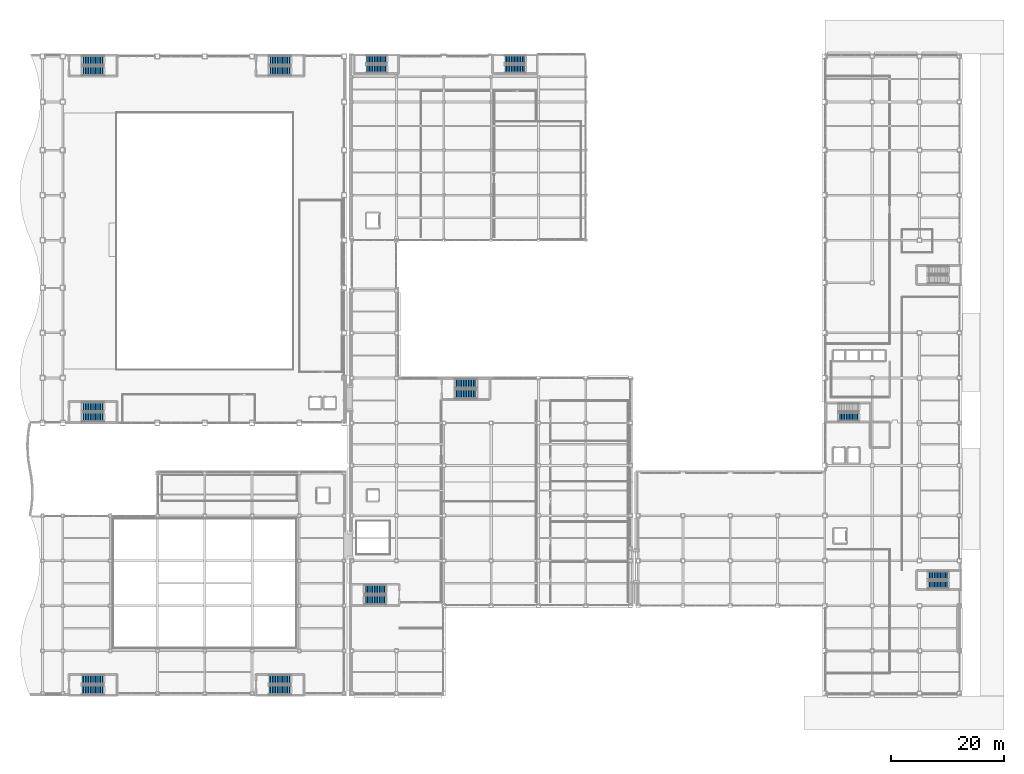
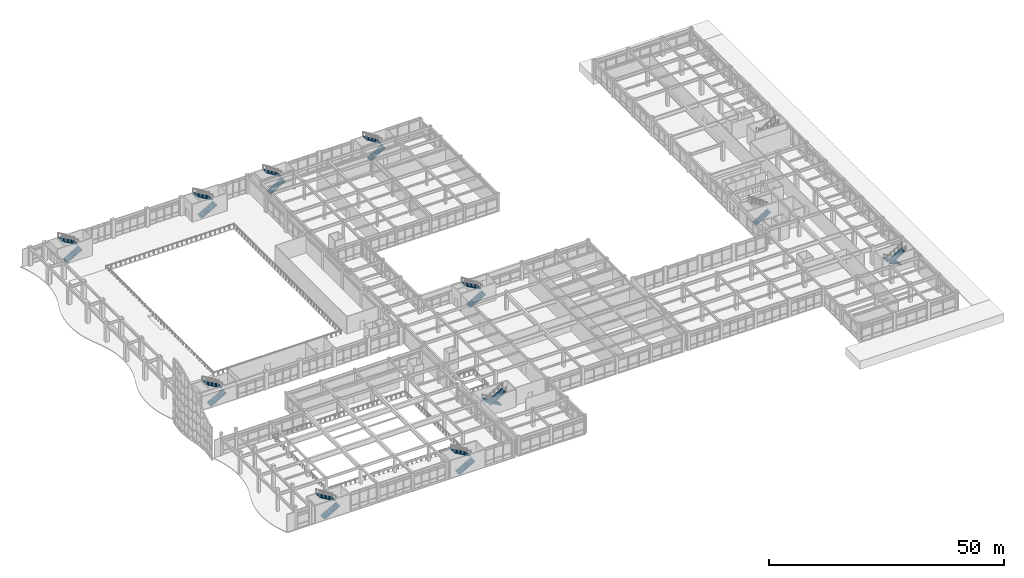
# One storey, part 149 of 172: 21 stair flights, 11 elements without a shape of their own.
"""IFC4 building model written with IfcOpenShell, lengths in metres."""

from ifc_helpers import new_model, si_unit, direction, frame, origin, place, context, subcontext, project, spatial, polyline, outline, extrude, material, type_object, element, aggregate, save


model = new_model("IFC4")

# Units and contexts
model_context = context("Model", 3, precision=1e-05, world=origin(), true_north=direction((0.0, 1.0)))
body_context = subcontext(model_context, "Body", "Model", "MODEL_VIEW")
ifc_project = project(units=[si_unit("LENGTHUNIT", "METRE"), si_unit("AREAUNIT", "SQUARE_METRE"), si_unit("VOLUMEUNIT", "CUBIC_METRE"), si_unit("PLANEANGLEUNIT", "RADIAN"), si_unit("MASSUNIT", "GRAM", prefix="KILO")], contexts=[model_context])

# Site, building, storey
site_placement = place(None, origin())
site = spatial("IfcSite", under=ifc_project, at=site_placement, CompositionType="ELEMENT")
building_placement = place(site_placement, origin())
building = spatial("IfcBuilding", under=site, at=building_placement, Name="Kazehara Bluff Congress Hotel", CompositionType="ELEMENT")
storey_placement = place(building_placement, frame((0.0, 0.0, 5.39990234375)))
storey = spatial("IfcBuildingStorey", under=building, at=storey_placement, Name="L01", CompositionType="ELEMENT", Elevation=5.39990234375)

# Stair, stair flights
ifc_material_1 = material(Name="Concrete C36/45", Category="concrete")
stair_type_1 = type_object("IfcStairType", Name="TP-ST-T02", PredefinedType="HALF_TURN_STAIR", material=ifc_material_1)
stair_1_placement = place(storey_placement, origin())
stair_1 = element("IfcStair", 1, at=stair_1_placement, inside=storey, type_object=stair_type_1, Name="L01 Escape stair ST-01", PredefinedType="HALF_TURN_STAIR")
ifc_material_2 = material(Name="Concrete C36/45", Category="concrete")
stair_flight_type_1 = type_object("IfcStairFlightType", Name="TP-SF-T02", PredefinedType="STRAIGHT", material=ifc_material_2)
stair_flight_1_placement = place(storey_placement, frame((11.800048828125, 110.97509765625, 0.0), z_axis=(0.0, 0.0, 1.0), x_axis=(1.0, 0.0, 0.0)))
stair_flight_1 = element("IfcStairFlight", 2, at=stair_flight_1_placement, type_object=stair_flight_type_1, Name="ST-01 flight 1", NumberOfRisers=14, NumberOfTreads=13, PredefinedType="STRAIGHT", RiserHeight=0.171428571, TreadLength=0.3, context=body_context, shape_type="SweptSolid", body=[
    extrude(outline(polyline([(0.0, 0.0), (0.0, 0.17138671875), (0.300048828125, 0.17138671875), (0.300048828125, 0.3427734375), (0.60009765625, 0.3427734375), (0.60009765625, 0.514404296875), (0.89990234375, 0.514404296875), (0.89990234375, 0.685791015625), (1.199951171875, 0.685791015625), (1.199951171875, 0.857177734375), (1.5, 0.857177734375), (1.5, 1.028564453125), (1.800048828125, 1.028564453125), (1.800048828125, 1.199951171875), (2.10009765625, 1.199951171875), (2.10009765625, 1.371337890625), (2.39990234375, 1.371337890625), (2.39990234375, 1.54296875), (2.699951171875, 1.54296875), (2.699951171875, 1.71435546875), (3.0, 1.71435546875), (3.0, 1.8857421875), (3.300048828125, 1.8857421875), (3.300048828125, 2.05712890625), (3.60009765625, 2.05712890625), (3.60009765625, 2.228515625), (3.89990234375, 2.228515625), (3.89990234375, 2.39990234375), (3.89990234375, 2.04443359375), (0.322265625, 0.0), (0.0, 0.0)])), frame((0.0, 0.824951171875, 0.0), z_axis=(0.0, -1.0, 0.0), x_axis=(1.0, 0.0, 0.0)), (0.0, 0.0, 1.0), 1.64990234375),
])
stair_flight_2_placement = place(storey_placement, frame((15.699951171875, 112.824951171875, 2.400146484375), z_axis=(0.0, 0.0, 1.0), x_axis=(-1.0, 0.0, 0.0)))
stair_flight_2 = element("IfcStairFlight", 3, at=stair_flight_2_placement, type_object=stair_flight_type_1, Name="ST-01 flight 2", NumberOfRisers=14, NumberOfTreads=13, PredefinedType="STRAIGHT", RiserHeight=0.171428571, TreadLength=0.3, context=body_context, shape_type="SweptSolid", body=[
    extrude(outline(polyline([(0.0, 0.0), (0.0, 0.17138671875), (0.300048828125, 0.17138671875), (0.300048828125, 0.3427734375), (0.60009765625, 0.3427734375), (0.60009765625, 0.514404296875), (0.89990234375, 0.514404296875), (0.89990234375, 0.685791015625), (1.199951171875, 0.685791015625), (1.199951171875, 0.857177734375), (1.5, 0.857177734375), (1.5, 1.028564453125), (1.800048828125, 1.028564453125), (1.800048828125, 1.199951171875), (2.10009765625, 1.199951171875), (2.10009765625, 1.371337890625), (2.39990234375, 1.371337890625), (2.39990234375, 1.54296875), (2.699951171875, 1.54296875), (2.699951171875, 1.71435546875), (3.0, 1.71435546875), (3.0, 1.8857421875), (3.300048828125, 1.8857421875), (3.300048828125, 2.05712890625), (3.60009765625, 2.05712890625), (3.60009765625, 2.228515625), (3.89990234375, 2.228515625), (3.89990234375, 2.39990234375), (3.89990234375, 2.04443359375), (0.322265625, 0.0), (0.0, 0.0)])), frame((0.0, 0.824951171875, 0.0), z_axis=(0.0, -1.0, 0.0), x_axis=(1.0, 0.0, 0.0)), (0.0, 0.0, 1.0), 1.64990234375),
])
aggregate(stair_1, [stair_flight_1, stair_flight_2])

stair_2_placement = place(storey_placement, origin())
stair_2 = element("IfcStair", 4, at=stair_2_placement, inside=storey, type_object=stair_type_1, Name="L01 Escape stair ST-02", PredefinedType="HALF_TURN_STAIR")
stair_flight_3_placement = place(storey_placement, frame((45.0, 110.97509765625, 0.0), z_axis=(0.0, 0.0, 1.0), x_axis=(1.0, 0.0, 0.0)))
stair_flight_3 = element("IfcStairFlight", 5, at=stair_flight_3_placement, type_object=stair_flight_type_1, Name="ST-02 flight 1", NumberOfRisers=14, NumberOfTreads=13, PredefinedType="STRAIGHT", RiserHeight=0.171428571, TreadLength=0.3, context=body_context, shape_type="SweptSolid", body=[
    extrude(outline(polyline([(0.0, 0.0), (0.0, 0.17138671875), (0.300048828125, 0.17138671875), (0.300048828125, 0.3427734375), (0.60009765625, 0.3427734375), (0.60009765625, 0.514404296875), (0.89990234375, 0.514404296875), (0.89990234375, 0.685791015625), (1.199951171875, 0.685791015625), (1.199951171875, 0.857177734375), (1.5, 0.857177734375), (1.5, 1.028564453125), (1.800048828125, 1.028564453125), (1.800048828125, 1.199951171875), (2.10009765625, 1.199951171875), (2.10009765625, 1.371337890625), (2.39990234375, 1.371337890625), (2.39990234375, 1.54296875), (2.699951171875, 1.54296875), (2.699951171875, 1.71435546875), (3.0, 1.71435546875), (3.0, 1.8857421875), (3.300048828125, 1.8857421875), (3.300048828125, 2.05712890625), (3.60009765625, 2.05712890625), (3.60009765625, 2.228515625), (3.89990234375, 2.228515625), (3.89990234375, 2.39990234375), (3.89990234375, 2.04443359375), (0.322265625, 0.0), (0.0, 0.0)])), frame((0.0, 0.824951171875, 0.0), z_axis=(0.0, -1.0, 0.0), x_axis=(1.0, 0.0, 0.0)), (0.0, 0.0, 1.0), 1.64990234375),
])
stair_flight_4_placement = place(storey_placement, frame((48.89990234375, 112.824951171875, 2.400146484375), z_axis=(0.0, 0.0, 1.0), x_axis=(-1.0, 0.0, 0.0)))
stair_flight_4 = element("IfcStairFlight", 6, at=stair_flight_4_placement, type_object=stair_flight_type_1, Name="ST-02 flight 2", NumberOfRisers=14, NumberOfTreads=13, PredefinedType="STRAIGHT", RiserHeight=0.171428571, TreadLength=0.3, context=body_context, shape_type="SweptSolid", body=[
    extrude(outline(polyline([(0.0, 0.0), (0.0, 0.17138671875), (0.300048828125, 0.17138671875), (0.300048828125, 0.3427734375), (0.60009765625, 0.3427734375), (0.60009765625, 0.514404296875), (0.89990234375, 0.514404296875), (0.89990234375, 0.685791015625), (1.199951171875, 0.685791015625), (1.199951171875, 0.857177734375), (1.5, 0.857177734375), (1.5, 1.028564453125), (1.800048828125, 1.028564453125), (1.800048828125, 1.199951171875), (2.10009765625, 1.199951171875), (2.10009765625, 1.371337890625), (2.39990234375, 1.371337890625), (2.39990234375, 1.54296875), (2.699951171875, 1.54296875), (2.699951171875, 1.71435546875), (3.0, 1.71435546875), (3.0, 1.8857421875), (3.300048828125, 1.8857421875), (3.300048828125, 2.05712890625), (3.60009765625, 2.05712890625), (3.60009765625, 2.228515625), (3.89990234375, 2.228515625), (3.89990234375, 2.39990234375), (3.89990234375, 2.04443359375), (0.322265625, 0.0), (0.0, 0.0)])), frame((0.0, 0.824951171875, 0.0), z_axis=(0.0, -1.0, 0.0), x_axis=(1.0, 0.0, 0.0)), (0.0, 0.0, 1.0), 1.64990234375),
])
aggregate(stair_2, [stair_flight_3, stair_flight_4])

stair_3_placement = place(storey_placement, origin())
stair_3 = element("IfcStair", 7, at=stair_3_placement, inside=storey, type_object=stair_type_1, Name="L01 Escape stair ST-03", PredefinedType="HALF_TURN_STAIR")
stair_flight_5_placement = place(storey_placement, frame((11.800048828125, 49.47509765625, 0.0), z_axis=(0.0, 0.0, 1.0), x_axis=(1.0, 0.0, 0.0)))
stair_flight_5 = element("IfcStairFlight", 8, at=stair_flight_5_placement, type_object=stair_flight_type_1, Name="ST-03 flight 1", NumberOfRisers=14, NumberOfTreads=13, PredefinedType="STRAIGHT", RiserHeight=0.171428571, TreadLength=0.3, context=body_context, shape_type="SweptSolid", body=[
    extrude(outline(polyline([(0.0, 0.0), (0.0, 0.17138671875), (0.300048828125, 0.17138671875), (0.300048828125, 0.3427734375), (0.60009765625, 0.3427734375), (0.60009765625, 0.514404296875), (0.89990234375, 0.514404296875), (0.89990234375, 0.685791015625), (1.199951171875, 0.685791015625), (1.199951171875, 0.857177734375), (1.5, 0.857177734375), (1.5, 1.028564453125), (1.800048828125, 1.028564453125), (1.800048828125, 1.199951171875), (2.10009765625, 1.199951171875), (2.10009765625, 1.371337890625), (2.39990234375, 1.371337890625), (2.39990234375, 1.54296875), (2.699951171875, 1.54296875), (2.699951171875, 1.71435546875), (3.0, 1.71435546875), (3.0, 1.8857421875), (3.300048828125, 1.8857421875), (3.300048828125, 2.05712890625), (3.60009765625, 2.05712890625), (3.60009765625, 2.228515625), (3.89990234375, 2.228515625), (3.89990234375, 2.39990234375), (3.89990234375, 2.04443359375), (0.322265625, 0.0), (0.0, 0.0)])), frame((0.0, 0.824951171875, 0.0), z_axis=(0.0, -1.0, 0.0), x_axis=(1.0, 0.0, 0.0)), (0.0, 0.0, 1.0), 1.64990234375),
])
stair_flight_6_placement = place(storey_placement, frame((15.699951171875, 51.324951171875, 2.400146484375), z_axis=(0.0, 0.0, 1.0), x_axis=(-1.0, 0.0, 0.0)))
stair_flight_6 = element("IfcStairFlight", 9, at=stair_flight_6_placement, type_object=stair_flight_type_1, Name="ST-03 flight 2", NumberOfRisers=14, NumberOfTreads=13, PredefinedType="STRAIGHT", RiserHeight=0.171428571, TreadLength=0.3, context=body_context, shape_type="SweptSolid", body=[
    extrude(outline(polyline([(0.0, 0.0), (0.0, 0.17138671875), (0.300048828125, 0.17138671875), (0.300048828125, 0.3427734375), (0.60009765625, 0.3427734375), (0.60009765625, 0.514404296875), (0.89990234375, 0.514404296875), (0.89990234375, 0.685791015625), (1.199951171875, 0.685791015625), (1.199951171875, 0.857177734375), (1.5, 0.857177734375), (1.5, 1.028564453125), (1.800048828125, 1.028564453125), (1.800048828125, 1.199951171875), (2.10009765625, 1.199951171875), (2.10009765625, 1.371337890625), (2.39990234375, 1.371337890625), (2.39990234375, 1.54296875), (2.699951171875, 1.54296875), (2.699951171875, 1.71435546875), (3.0, 1.71435546875), (3.0, 1.8857421875), (3.300048828125, 1.8857421875), (3.300048828125, 2.05712890625), (3.60009765625, 2.05712890625), (3.60009765625, 2.228515625), (3.89990234375, 2.228515625), (3.89990234375, 2.39990234375), (3.89990234375, 2.04443359375), (0.322265625, 0.0), (0.0, 0.0)])), frame((0.0, 0.824951171875, 0.0), z_axis=(0.0, -1.0, 0.0), x_axis=(1.0, 0.0, 0.0)), (0.0, 0.0, 1.0), 1.64990234375),
])
aggregate(stair_3, [stair_flight_5, stair_flight_6])

stair_4_placement = place(storey_placement, origin())
stair_4 = element("IfcStair", 10, at=stair_4_placement, inside=storey, type_object=stair_type_1, Name="L01 Escape stair ST-04", PredefinedType="HALF_TURN_STAIR")
stair_flight_7_placement = place(storey_placement, frame((11.800048828125, 1.02490234375, 0.0), z_axis=(0.0, 0.0, 1.0), x_axis=(1.0, 0.0, 0.0)))
stair_flight_7 = element("IfcStairFlight", 11, at=stair_flight_7_placement, type_object=stair_flight_type_1, Name="ST-04 flight 1", NumberOfRisers=14, NumberOfTreads=13, PredefinedType="STRAIGHT", RiserHeight=0.171428571, TreadLength=0.3, context=body_context, shape_type="SweptSolid", body=[
    extrude(outline(polyline([(0.0, 0.0), (0.0, 0.17138671875), (0.300048828125, 0.17138671875), (0.300048828125, 0.3427734375), (0.60009765625, 0.3427734375), (0.60009765625, 0.514404296875), (0.89990234375, 0.514404296875), (0.89990234375, 0.685791015625), (1.199951171875, 0.685791015625), (1.199951171875, 0.857177734375), (1.5, 0.857177734375), (1.5, 1.028564453125), (1.800048828125, 1.028564453125), (1.800048828125, 1.199951171875), (2.10009765625, 1.199951171875), (2.10009765625, 1.371337890625), (2.39990234375, 1.371337890625), (2.39990234375, 1.54296875), (2.699951171875, 1.54296875), (2.699951171875, 1.71435546875), (3.0, 1.71435546875), (3.0, 1.8857421875), (3.300048828125, 1.8857421875), (3.300048828125, 2.05712890625), (3.60009765625, 2.05712890625), (3.60009765625, 2.228515625), (3.89990234375, 2.228515625), (3.89990234375, 2.39990234375), (3.89990234375, 2.04443359375), (0.322265625, 0.0), (0.0, 0.0)])), frame((0.0, 0.824951171875, 0.0), z_axis=(0.0, -1.0, 0.0), x_axis=(1.0, 0.0, 0.0)), (0.0, 0.0, 1.0), 1.64990234375),
])
stair_flight_8_placement = place(storey_placement, frame((15.699951171875, 2.875, 2.400146484375), z_axis=(0.0, 0.0, 1.0), x_axis=(-1.0, 0.0, 0.0)))
stair_flight_8 = element("IfcStairFlight", 12, at=stair_flight_8_placement, type_object=stair_flight_type_1, Name="ST-04 flight 2", NumberOfRisers=14, NumberOfTreads=13, PredefinedType="STRAIGHT", RiserHeight=0.171428571, TreadLength=0.3, context=body_context, shape_type="SweptSolid", body=[
    extrude(outline(polyline([(0.0, 0.0), (0.0, 0.17138671875), (0.300048828125, 0.17138671875), (0.300048828125, 0.3427734375), (0.60009765625, 0.3427734375), (0.60009765625, 0.514404296875), (0.89990234375, 0.514404296875), (0.89990234375, 0.685791015625), (1.199951171875, 0.685791015625), (1.199951171875, 0.857177734375), (1.5, 0.857177734375), (1.5, 1.028564453125), (1.800048828125, 1.028564453125), (1.800048828125, 1.199951171875), (2.10009765625, 1.199951171875), (2.10009765625, 1.371337890625), (2.39990234375, 1.371337890625), (2.39990234375, 1.54296875), (2.699951171875, 1.54296875), (2.699951171875, 1.71435546875), (3.0, 1.71435546875), (3.0, 1.8857421875), (3.300048828125, 1.8857421875), (3.300048828125, 2.05712890625), (3.60009765625, 2.05712890625), (3.60009765625, 2.228515625), (3.89990234375, 2.228515625), (3.89990234375, 2.39990234375), (3.89990234375, 2.04443359375), (0.322265625, 0.0), (0.0, 0.0)])), frame((0.0, 0.824951171875, 0.0), z_axis=(0.0, -1.0, 0.0), x_axis=(1.0, 0.0, 0.0)), (0.0, 0.0, 1.0), 1.64990234375),
])
aggregate(stair_4, [stair_flight_7, stair_flight_8])

stair_5_placement = place(storey_placement, origin())
stair_5 = element("IfcStair", 13, at=stair_5_placement, inside=storey, type_object=stair_type_1, Name="L01 Escape stair ST-05", PredefinedType="HALF_TURN_STAIR")
stair_flight_9_placement = place(storey_placement, frame((45.0, 1.02490234375, 0.0), z_axis=(0.0, 0.0, 1.0), x_axis=(1.0, 0.0, 0.0)))
stair_flight_9 = element("IfcStairFlight", 14, at=stair_flight_9_placement, type_object=stair_flight_type_1, Name="ST-05 flight 1", NumberOfRisers=14, NumberOfTreads=13, PredefinedType="STRAIGHT", RiserHeight=0.171428571, TreadLength=0.3, context=body_context, shape_type="SweptSolid", body=[
    extrude(outline(polyline([(0.0, 0.0), (0.0, 0.17138671875), (0.300048828125, 0.17138671875), (0.300048828125, 0.3427734375), (0.60009765625, 0.3427734375), (0.60009765625, 0.514404296875), (0.89990234375, 0.514404296875), (0.89990234375, 0.685791015625), (1.199951171875, 0.685791015625), (1.199951171875, 0.857177734375), (1.5, 0.857177734375), (1.5, 1.028564453125), (1.800048828125, 1.028564453125), (1.800048828125, 1.199951171875), (2.10009765625, 1.199951171875), (2.10009765625, 1.371337890625), (2.39990234375, 1.371337890625), (2.39990234375, 1.54296875), (2.699951171875, 1.54296875), (2.699951171875, 1.71435546875), (3.0, 1.71435546875), (3.0, 1.8857421875), (3.300048828125, 1.8857421875), (3.300048828125, 2.05712890625), (3.60009765625, 2.05712890625), (3.60009765625, 2.228515625), (3.89990234375, 2.228515625), (3.89990234375, 2.39990234375), (3.89990234375, 2.04443359375), (0.322265625, 0.0), (0.0, 0.0)])), frame((0.0, 0.824951171875, 0.0), z_axis=(0.0, -1.0, 0.0), x_axis=(1.0, 0.0, 0.0)), (0.0, 0.0, 1.0), 1.64990234375),
])
stair_flight_10_placement = place(storey_placement, frame((48.89990234375, 2.875, 2.400146484375), z_axis=(0.0, 0.0, 1.0), x_axis=(-1.0, 0.0, 0.0)))
stair_flight_10 = element("IfcStairFlight", 15, at=stair_flight_10_placement, type_object=stair_flight_type_1, Name="ST-05 flight 2", NumberOfRisers=14, NumberOfTreads=13, PredefinedType="STRAIGHT", RiserHeight=0.171428571, TreadLength=0.3, context=body_context, shape_type="SweptSolid", body=[
    extrude(outline(polyline([(0.0, 0.0), (0.0, 0.17138671875), (0.300048828125, 0.17138671875), (0.300048828125, 0.3427734375), (0.60009765625, 0.3427734375), (0.60009765625, 0.514404296875), (0.89990234375, 0.514404296875), (0.89990234375, 0.685791015625), (1.199951171875, 0.685791015625), (1.199951171875, 0.857177734375), (1.5, 0.857177734375), (1.5, 1.028564453125), (1.800048828125, 1.028564453125), (1.800048828125, 1.199951171875), (2.10009765625, 1.199951171875), (2.10009765625, 1.371337890625), (2.39990234375, 1.371337890625), (2.39990234375, 1.54296875), (2.699951171875, 1.54296875), (2.699951171875, 1.71435546875), (3.0, 1.71435546875), (3.0, 1.8857421875), (3.300048828125, 1.8857421875), (3.300048828125, 2.05712890625), (3.60009765625, 2.05712890625), (3.60009765625, 2.228515625), (3.89990234375, 2.228515625), (3.89990234375, 2.39990234375), (3.89990234375, 2.04443359375), (0.322265625, 0.0), (0.0, 0.0)])), frame((0.0, 0.824951171875, 0.0), z_axis=(0.0, -1.0, 0.0), x_axis=(1.0, 0.0, 0.0)), (0.0, 0.0, 1.0), 1.64990234375),
])
aggregate(stair_5, [stair_flight_9, stair_flight_10])

stair_6_placement = place(storey_placement, origin())
stair_6 = element("IfcStair", 16, at=stair_6_placement, inside=storey, type_object=stair_type_1, Name="L01 Escape stair ST-08", PredefinedType="HALF_TURN_STAIR")
stair_flight_11_placement = place(storey_placement, frame((65.800048828125, 18.875, 0.0), z_axis=(0.0, 0.0, 1.0), x_axis=(-1.0, 0.0, 0.0)))
stair_flight_11 = element("IfcStairFlight", 17, at=stair_flight_11_placement, type_object=stair_flight_type_1, Name="ST-08 flight 1", NumberOfRisers=14, NumberOfTreads=13, PredefinedType="STRAIGHT", RiserHeight=0.171428571, TreadLength=0.3, context=body_context, shape_type="SweptSolid", body=[
    extrude(outline(polyline([(0.0, 0.0), (0.0, 0.17138671875), (0.300048828125, 0.17138671875), (0.300048828125, 0.3427734375), (0.60009765625, 0.3427734375), (0.60009765625, 0.514404296875), (0.89990234375, 0.514404296875), (0.89990234375, 0.685791015625), (1.199951171875, 0.685791015625), (1.199951171875, 0.857177734375), (1.5, 0.857177734375), (1.5, 1.028564453125), (1.800048828125, 1.028564453125), (1.800048828125, 1.199951171875), (2.10009765625, 1.199951171875), (2.10009765625, 1.371337890625), (2.39990234375, 1.371337890625), (2.39990234375, 1.54296875), (2.699951171875, 1.54296875), (2.699951171875, 1.71435546875), (3.0, 1.71435546875), (3.0, 1.8857421875), (3.300048828125, 1.8857421875), (3.300048828125, 2.05712890625), (3.60009765625, 2.05712890625), (3.60009765625, 2.228515625), (3.89990234375, 2.228515625), (3.89990234375, 2.39990234375), (3.89990234375, 2.04443359375), (0.322265625, 0.0), (0.0, 0.0)])), frame((0.0, 0.824951171875, 0.0), z_axis=(0.0, -1.0, 0.0), x_axis=(1.0, 0.0, 0.0)), (0.0, 0.0, 1.0), 1.64990234375),
])
stair_flight_12_placement = place(storey_placement, frame((61.89990234375, 17.02490234375, 2.400146484375), z_axis=(0.0, 0.0, 1.0), x_axis=(1.0, 0.0, 0.0)))
stair_flight_12 = element("IfcStairFlight", 18, at=stair_flight_12_placement, type_object=stair_flight_type_1, Name="ST-08 flight 2", NumberOfRisers=14, NumberOfTreads=13, PredefinedType="STRAIGHT", RiserHeight=0.171428571, TreadLength=0.3, context=body_context, shape_type="SweptSolid", body=[
    extrude(outline(polyline([(0.0, 0.0), (0.0, 0.17138671875), (0.300048828125, 0.17138671875), (0.300048828125, 0.3427734375), (0.60009765625, 0.3427734375), (0.60009765625, 0.514404296875), (0.89990234375, 0.514404296875), (0.89990234375, 0.685791015625), (1.199951171875, 0.685791015625), (1.199951171875, 0.857177734375), (1.5, 0.857177734375), (1.5, 1.028564453125), (1.800048828125, 1.028564453125), (1.800048828125, 1.199951171875), (2.10009765625, 1.199951171875), (2.10009765625, 1.371337890625), (2.39990234375, 1.371337890625), (2.39990234375, 1.54296875), (2.699951171875, 1.54296875), (2.699951171875, 1.71435546875), (3.0, 1.71435546875), (3.0, 1.8857421875), (3.300048828125, 1.8857421875), (3.300048828125, 2.05712890625), (3.60009765625, 2.05712890625), (3.60009765625, 2.228515625), (3.89990234375, 2.228515625), (3.89990234375, 2.39990234375), (3.89990234375, 2.04443359375), (0.322265625, 0.0), (0.0, 0.0)])), frame((0.0, 0.824951171875, 0.0), z_axis=(0.0, -1.0, 0.0), x_axis=(1.0, 0.0, 0.0)), (0.0, 0.0, 1.0), 1.64990234375),
])
aggregate(stair_6, [stair_flight_11, stair_flight_12])

stair_7_placement = place(storey_placement, origin())
stair_7 = element("IfcStair", 19, at=stair_7_placement, inside=storey, type_object=stair_type_1, Name="L01 Escape stair ST-09", PredefinedType="HALF_TURN_STAIR")
stair_flight_13_placement = place(storey_placement, frame((78.0, 53.574951171875, 0.0), z_axis=(0.0, 0.0, 1.0), x_axis=(1.0, 0.0, 0.0)))
stair_flight_13 = element("IfcStairFlight", 20, at=stair_flight_13_placement, type_object=stair_flight_type_1, Name="ST-09 flight 1", NumberOfRisers=14, NumberOfTreads=13, PredefinedType="STRAIGHT", RiserHeight=0.171428571, TreadLength=0.3, context=body_context, shape_type="SweptSolid", body=[
    extrude(outline(polyline([(0.0, 0.0), (0.0, 0.17138671875), (0.300048828125, 0.17138671875), (0.300048828125, 0.3427734375), (0.60009765625, 0.3427734375), (0.60009765625, 0.514404296875), (0.89990234375, 0.514404296875), (0.89990234375, 0.685791015625), (1.199951171875, 0.685791015625), (1.199951171875, 0.857177734375), (1.5, 0.857177734375), (1.5, 1.028564453125), (1.800048828125, 1.028564453125), (1.800048828125, 1.199951171875), (2.10009765625, 1.199951171875), (2.10009765625, 1.371337890625), (2.39990234375, 1.371337890625), (2.39990234375, 1.54296875), (2.699951171875, 1.54296875), (2.699951171875, 1.71435546875), (3.0, 1.71435546875), (3.0, 1.8857421875), (3.300048828125, 1.8857421875), (3.300048828125, 2.05712890625), (3.60009765625, 2.05712890625), (3.60009765625, 2.228515625), (3.89990234375, 2.228515625), (3.89990234375, 2.39990234375), (3.89990234375, 2.04443359375), (0.322265625, 0.0), (0.0, 0.0)])), frame((0.0, 0.824951171875, 0.0), z_axis=(0.0, -1.0, 0.0), x_axis=(1.0, 0.0, 0.0)), (0.0, 0.0, 1.0), 1.64990234375),
])
stair_flight_14_placement = place(storey_placement, frame((81.89990234375, 55.425048828125, 2.400146484375), z_axis=(0.0, 0.0, 1.0), x_axis=(-1.0, 0.0, 0.0)))
stair_flight_14 = element("IfcStairFlight", 21, at=stair_flight_14_placement, type_object=stair_flight_type_1, Name="ST-09 flight 2", NumberOfRisers=14, NumberOfTreads=13, PredefinedType="STRAIGHT", RiserHeight=0.171428571, TreadLength=0.3, context=body_context, shape_type="SweptSolid", body=[
    extrude(outline(polyline([(0.0, 0.0), (0.0, 0.17138671875), (0.300048828125, 0.17138671875), (0.300048828125, 0.3427734375), (0.60009765625, 0.3427734375), (0.60009765625, 0.514404296875), (0.89990234375, 0.514404296875), (0.89990234375, 0.685791015625), (1.199951171875, 0.685791015625), (1.199951171875, 0.857177734375), (1.5, 0.857177734375), (1.5, 1.028564453125), (1.800048828125, 1.028564453125), (1.800048828125, 1.199951171875), (2.10009765625, 1.199951171875), (2.10009765625, 1.371337890625), (2.39990234375, 1.371337890625), (2.39990234375, 1.54296875), (2.699951171875, 1.54296875), (2.699951171875, 1.71435546875), (3.0, 1.71435546875), (3.0, 1.8857421875), (3.300048828125, 1.8857421875), (3.300048828125, 2.05712890625), (3.60009765625, 2.05712890625), (3.60009765625, 2.228515625), (3.89990234375, 2.228515625), (3.89990234375, 2.39990234375), (3.89990234375, 2.04443359375), (0.322265625, 0.0), (0.0, 0.0)])), frame((0.0, 0.824951171875, 0.0), z_axis=(0.0, -1.0, 0.0), x_axis=(1.0, 0.0, 0.0)), (0.0, 0.0, 1.0), 1.64990234375),
])
aggregate(stair_7, [stair_flight_13, stair_flight_14])

ifc_material_3 = material(Name="Concrete C36/45", Category="concrete")
stair_type_2 = type_object("IfcStairType", Name="TP-ST-T04", PredefinedType="HALF_TURN_STAIR", material=ifc_material_3)
stair_8_placement = place(storey_placement, origin())
stair_8 = element("IfcStair", 22, at=stair_8_placement, inside=storey, type_object=stair_type_2, Name="L01 Escape stair ST-06", PredefinedType="HALF_TURN_STAIR")
ifc_material_4 = material(Name="Concrete C36/45", Category="concrete")
stair_flight_type_2 = type_object("IfcStairFlightType", Name="TP-SF-T04", PredefinedType="STRAIGHT", material=ifc_material_4)
stair_flight_15_placement = place(storey_placement, frame((62.300048828125, 111.324951171875, 0.0), z_axis=(0.0, 0.0, 1.0), x_axis=(1.0, 0.0, 0.0)))
stair_flight_15 = element("IfcStairFlight", 23, at=stair_flight_15_placement, type_object=stair_flight_type_2, Name="ST-06 flight 1", NumberOfRisers=14, NumberOfTreads=13, PredefinedType="STRAIGHT", RiserHeight=0.171428571, TreadLength=0.28, context=body_context, shape_type="SweptSolid", body=[
    extrude(outline(polyline([(0.0, 0.0), (0.0, 0.17138671875), (0.280029296875, 0.17138671875), (0.280029296875, 0.3427734375), (0.56005859375, 0.3427734375), (0.56005859375, 0.514404296875), (0.840087890625, 0.514404296875), (0.840087890625, 0.685791015625), (1.1201171875, 0.685791015625), (1.1201171875, 0.857177734375), (1.39990234375, 0.857177734375), (1.39990234375, 1.028564453125), (1.679931640625, 1.028564453125), (1.679931640625, 1.199951171875), (1.9599609375, 1.199951171875), (1.9599609375, 1.371337890625), (2.239990234375, 1.371337890625), (2.239990234375, 1.54296875), (2.52001953125, 1.54296875), (2.52001953125, 1.71435546875), (2.800048828125, 1.71435546875), (2.800048828125, 1.8857421875), (3.080078125, 1.8857421875), (3.080078125, 2.05712890625), (3.360107421875, 2.05712890625), (3.360107421875, 2.228515625), (3.639892578125, 2.228515625), (3.639892578125, 2.39990234375), (3.639892578125, 2.041015625), (0.30615234375, 0.0), (0.0, 0.0)])), frame((0.0, 0.72509765625, 0.0), z_axis=(0.0, -1.0, 0.0), x_axis=(1.0, 0.0, 0.0)), (0.0, 0.0, 1.0), 1.449951171875),
])
stair_flight_16_placement = place(storey_placement, frame((65.93994140625, 112.97509765625, 2.400146484375), z_axis=(0.0, 0.0, 1.0), x_axis=(-1.0, 0.0, 0.0)))
stair_flight_16 = element("IfcStairFlight", 24, at=stair_flight_16_placement, type_object=stair_flight_type_2, Name="ST-06 flight 2", NumberOfRisers=14, NumberOfTreads=13, PredefinedType="STRAIGHT", RiserHeight=0.171428571, TreadLength=0.28, context=body_context, shape_type="SweptSolid", body=[
    extrude(outline(polyline([(0.0, 0.0), (0.0, 0.17138671875), (0.280029296875, 0.17138671875), (0.280029296875, 0.3427734375), (0.56005859375, 0.3427734375), (0.56005859375, 0.514404296875), (0.840087890625, 0.514404296875), (0.840087890625, 0.685791015625), (1.1201171875, 0.685791015625), (1.1201171875, 0.857177734375), (1.39990234375, 0.857177734375), (1.39990234375, 1.028564453125), (1.679931640625, 1.028564453125), (1.679931640625, 1.199951171875), (1.9599609375, 1.199951171875), (1.9599609375, 1.371337890625), (2.239990234375, 1.371337890625), (2.239990234375, 1.54296875), (2.52001953125, 1.54296875), (2.52001953125, 1.71435546875), (2.800048828125, 1.71435546875), (2.800048828125, 1.8857421875), (3.080078125, 1.8857421875), (3.080078125, 2.05712890625), (3.360107421875, 2.05712890625), (3.360107421875, 2.228515625), (3.639892578125, 2.228515625), (3.639892578125, 2.39990234375), (3.639892578125, 2.041015625), (0.30615234375, 0.0), (0.0, 0.0)])), frame((0.0, 0.72509765625, 0.0), z_axis=(0.0, -1.0, 0.0), x_axis=(1.0, 0.0, 0.0)), (0.0, 0.0, 1.0), 1.449951171875),
])
aggregate(stair_8, [stair_flight_15, stair_flight_16])

stair_9_placement = place(storey_placement, origin())
stair_9 = element("IfcStair", 25, at=stair_9_placement, inside=storey, type_object=stair_type_2, Name="L01 Escape stair ST-07", PredefinedType="HALF_TURN_STAIR")
stair_flight_17_placement = place(storey_placement, frame((86.89990234375, 111.324951171875, 0.0), z_axis=(0.0, 0.0, 1.0), x_axis=(1.0, 0.0, 0.0)))
stair_flight_17 = element("IfcStairFlight", 26, at=stair_flight_17_placement, type_object=stair_flight_type_2, Name="ST-07 flight 1", NumberOfRisers=14, NumberOfTreads=13, PredefinedType="STRAIGHT", RiserHeight=0.171428571, TreadLength=0.28, context=body_context, shape_type="SweptSolid", body=[
    extrude(outline(polyline([(0.0, 0.0), (0.0, 0.17138671875), (0.280029296875, 0.17138671875), (0.280029296875, 0.3427734375), (0.56005859375, 0.3427734375), (0.56005859375, 0.514404296875), (0.840087890625, 0.514404296875), (0.840087890625, 0.685791015625), (1.1201171875, 0.685791015625), (1.1201171875, 0.857177734375), (1.39990234375, 0.857177734375), (1.39990234375, 1.028564453125), (1.679931640625, 1.028564453125), (1.679931640625, 1.199951171875), (1.9599609375, 1.199951171875), (1.9599609375, 1.371337890625), (2.239990234375, 1.371337890625), (2.239990234375, 1.54296875), (2.52001953125, 1.54296875), (2.52001953125, 1.71435546875), (2.800048828125, 1.71435546875), (2.800048828125, 1.8857421875), (3.080078125, 1.8857421875), (3.080078125, 2.05712890625), (3.360107421875, 2.05712890625), (3.360107421875, 2.228515625), (3.639892578125, 2.228515625), (3.639892578125, 2.39990234375), (3.639892578125, 2.041015625), (0.30615234375, 0.0), (0.0, 0.0)])), frame((0.0, 0.72509765625, 0.0), z_axis=(0.0, -1.0, 0.0), x_axis=(1.0, 0.0, 0.0)), (0.0, 0.0, 1.0), 1.449951171875),
])
stair_flight_18_placement = place(storey_placement, frame((90.5400390625, 112.97509765625, 2.400146484375), z_axis=(0.0, 0.0, 1.0), x_axis=(-1.0, 0.0, 0.0)))
stair_flight_18 = element("IfcStairFlight", 27, at=stair_flight_18_placement, type_object=stair_flight_type_2, Name="ST-07 flight 2", NumberOfRisers=14, NumberOfTreads=13, PredefinedType="STRAIGHT", RiserHeight=0.171428571, TreadLength=0.28, context=body_context, shape_type="SweptSolid", body=[
    extrude(outline(polyline([(0.0, 0.0), (0.0, 0.17138671875), (0.280029296875, 0.17138671875), (0.280029296875, 0.3427734375), (0.56005859375, 0.3427734375), (0.56005859375, 0.514404296875), (0.840087890625, 0.514404296875), (0.840087890625, 0.685791015625), (1.1201171875, 0.685791015625), (1.1201171875, 0.857177734375), (1.39990234375, 0.857177734375), (1.39990234375, 1.028564453125), (1.679931640625, 1.028564453125), (1.679931640625, 1.199951171875), (1.9599609375, 1.199951171875), (1.9599609375, 1.371337890625), (2.239990234375, 1.371337890625), (2.239990234375, 1.54296875), (2.52001953125, 1.54296875), (2.52001953125, 1.71435546875), (2.800048828125, 1.71435546875), (2.800048828125, 1.8857421875), (3.080078125, 1.8857421875), (3.080078125, 2.05712890625), (3.360107421875, 2.05712890625), (3.360107421875, 2.228515625), (3.639892578125, 2.228515625), (3.639892578125, 2.39990234375), (3.639892578125, 2.041015625), (0.30615234375, 0.0), (0.0, 0.0)])), frame((0.0, 0.72509765625, 0.0), z_axis=(0.0, -1.0, 0.0), x_axis=(1.0, 0.0, 0.0)), (0.0, 0.0, 1.0), 1.449951171875),
])
aggregate(stair_9, [stair_flight_17, stair_flight_18])

stair_10_placement = place(storey_placement, origin())
stair_10 = element("IfcStair", 28, at=stair_10_placement, inside=storey, type_object=stair_type_2, Name="L01 Escape stair ST-10", PredefinedType="HALF_TURN_STAIR")
stair_flight_19_placement = place(storey_placement, frame((165.64990234375, 21.375, 0.0), z_axis=(0.0, 0.0, 1.0), x_axis=(-1.0, 0.0, 0.0)))
stair_flight_19 = element("IfcStairFlight", 29, at=stair_flight_19_placement, type_object=stair_flight_type_2, Name="ST-10 flight 1", NumberOfRisers=14, NumberOfTreads=13, PredefinedType="STRAIGHT", RiserHeight=0.171428571, TreadLength=0.28, context=body_context, shape_type="SweptSolid", body=[
    extrude(outline(polyline([(0.0, 0.0), (0.0, 0.17138671875), (0.280029296875, 0.17138671875), (0.280029296875, 0.3427734375), (0.56005859375, 0.3427734375), (0.56005859375, 0.514404296875), (0.840087890625, 0.514404296875), (0.840087890625, 0.685791015625), (1.1201171875, 0.685791015625), (1.1201171875, 0.857177734375), (1.39990234375, 0.857177734375), (1.39990234375, 1.028564453125), (1.679931640625, 1.028564453125), (1.679931640625, 1.199951171875), (1.9599609375, 1.199951171875), (1.9599609375, 1.371337890625), (2.239990234375, 1.371337890625), (2.239990234375, 1.54296875), (2.52001953125, 1.54296875), (2.52001953125, 1.71435546875), (2.800048828125, 1.71435546875), (2.800048828125, 1.8857421875), (3.080078125, 1.8857421875), (3.080078125, 2.05712890625), (3.360107421875, 2.05712890625), (3.360107421875, 2.228515625), (3.639892578125, 2.228515625), (3.639892578125, 2.39990234375), (3.639892578125, 2.041015625), (0.30615234375, 0.0), (0.0, 0.0)])), frame((0.0, 0.72509765625, 0.0), z_axis=(0.0, -1.0, 0.0), x_axis=(1.0, 0.0, 0.0)), (0.0, 0.0, 1.0), 1.449951171875),
])
stair_flight_20_placement = place(storey_placement, frame((162.010009765625, 19.72509765625, 2.400146484375), z_axis=(0.0, 0.0, 1.0), x_axis=(1.0, 0.0, 0.0)))
stair_flight_20 = element("IfcStairFlight", 30, at=stair_flight_20_placement, type_object=stair_flight_type_2, Name="ST-10 flight 2", NumberOfRisers=14, NumberOfTreads=13, PredefinedType="STRAIGHT", RiserHeight=0.171428571, TreadLength=0.28, context=body_context, shape_type="SweptSolid", body=[
    extrude(outline(polyline([(0.0, 0.0), (0.0, 0.17138671875), (0.280029296875, 0.17138671875), (0.280029296875, 0.3427734375), (0.56005859375, 0.3427734375), (0.56005859375, 0.514404296875), (0.840087890625, 0.514404296875), (0.840087890625, 0.685791015625), (1.1201171875, 0.685791015625), (1.1201171875, 0.857177734375), (1.39990234375, 0.857177734375), (1.39990234375, 1.028564453125), (1.679931640625, 1.028564453125), (1.679931640625, 1.199951171875), (1.9599609375, 1.199951171875), (1.9599609375, 1.371337890625), (2.239990234375, 1.371337890625), (2.239990234375, 1.54296875), (2.52001953125, 1.54296875), (2.52001953125, 1.71435546875), (2.800048828125, 1.71435546875), (2.800048828125, 1.8857421875), (3.080078125, 1.8857421875), (3.080078125, 2.05712890625), (3.360107421875, 2.05712890625), (3.360107421875, 2.228515625), (3.639892578125, 2.228515625), (3.639892578125, 2.39990234375), (3.639892578125, 2.041015625), (0.30615234375, 0.0), (0.0, 0.0)])), frame((0.0, 0.72509765625, 0.0), z_axis=(0.0, -1.0, 0.0), x_axis=(1.0, 0.0, 0.0)), (0.0, 0.0, 1.0), 1.449951171875),
])
aggregate(stair_10, [stair_flight_19, stair_flight_20])

# Stair, stair flight
stair_11_placement = place(storey_placement, origin())
stair_11 = element("IfcStair", 31, at=stair_11_placement, inside=storey, type_object=stair_type_2, Name="L01 Escape stair ST-11", PredefinedType="HALF_TURN_STAIR")
stair_flight_21_placement = place(storey_placement, frame((146.10009765625, 49.52490234375, 0.0), z_axis=(0.0, 0.0, 1.0), x_axis=(1.0, 0.0, 0.0)))
stair_flight_21 = element("IfcStairFlight", 32, at=stair_flight_21_placement, type_object=stair_flight_type_2, Name="ST-11 flight 1", NumberOfRisers=14, NumberOfTreads=13, PredefinedType="STRAIGHT", RiserHeight=0.171428571, TreadLength=0.28, context=body_context, shape_type="SweptSolid", body=[
    extrude(outline(polyline([(0.0, 0.0), (0.0, 0.17138671875), (0.280029296875, 0.17138671875), (0.280029296875, 0.3427734375), (0.56005859375, 0.3427734375), (0.56005859375, 0.514404296875), (0.840087890625, 0.514404296875), (0.840087890625, 0.685791015625), (1.1201171875, 0.685791015625), (1.1201171875, 0.857177734375), (1.39990234375, 0.857177734375), (1.39990234375, 1.028564453125), (1.679931640625, 1.028564453125), (1.679931640625, 1.199951171875), (1.9599609375, 1.199951171875), (1.9599609375, 1.371337890625), (2.239990234375, 1.371337890625), (2.239990234375, 1.54296875), (2.52001953125, 1.54296875), (2.52001953125, 1.71435546875), (2.800048828125, 1.71435546875), (2.800048828125, 1.8857421875), (3.080078125, 1.8857421875), (3.080078125, 2.05712890625), (3.360107421875, 2.05712890625), (3.360107421875, 2.228515625), (3.639892578125, 2.228515625), (3.639892578125, 2.39990234375), (3.639892578125, 2.041015625), (0.30615234375, 0.0), (0.0, 0.0)])), frame((0.0, 0.72509765625, 0.0), z_axis=(0.0, -1.0, 0.0), x_axis=(1.0, 0.0, 0.0)), (0.0, 0.0, 1.0), 1.449951171875),
])
aggregate(stair_11, [stair_flight_21])

save(model, "model.ifc")
